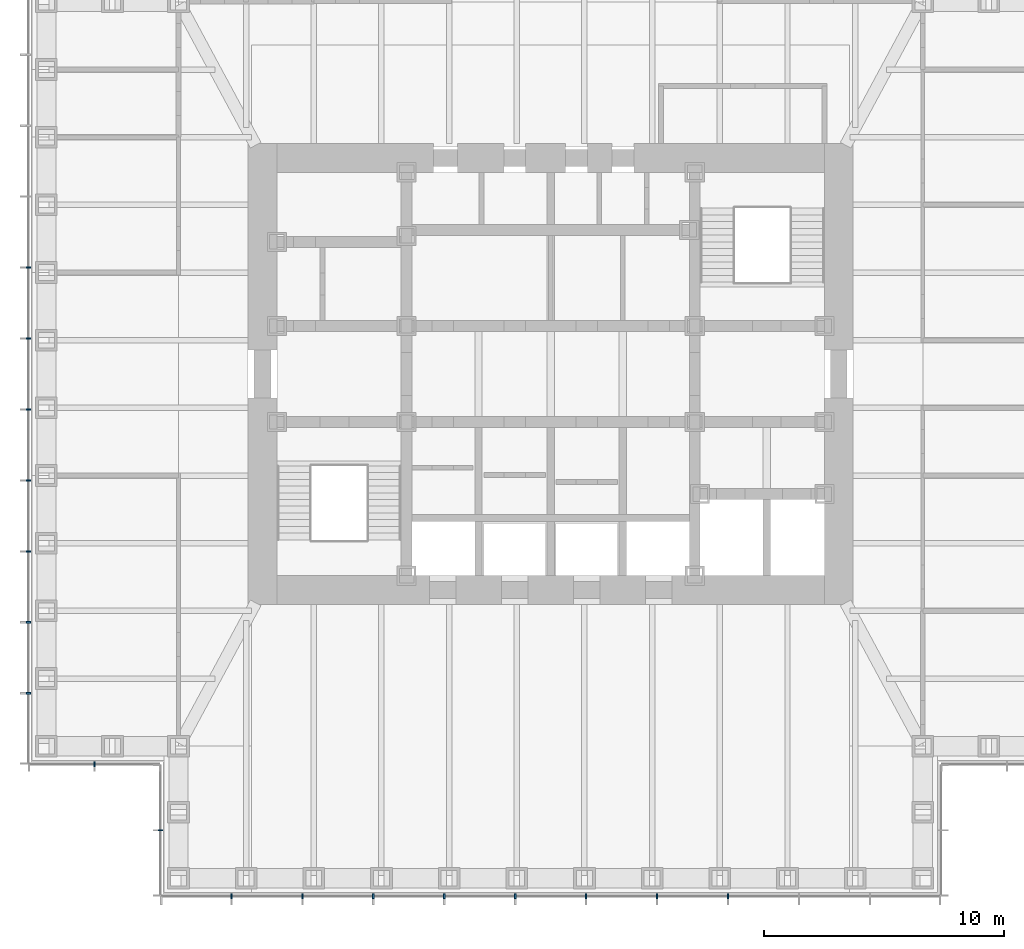
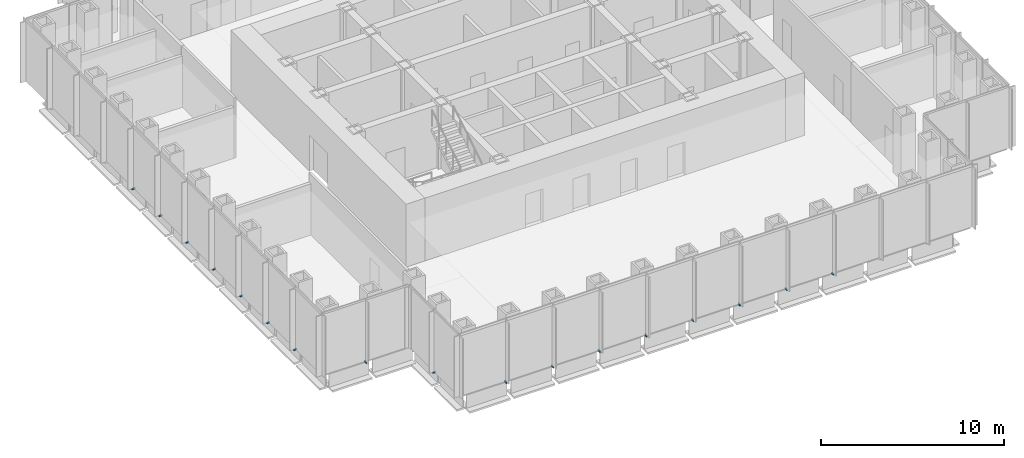
# One storey, part 11 of 16: 17 discrete accessories.
"""IFC4 building model written with IfcOpenShell, lengths in metres."""

from ifc_helpers import new_model, si_unit, direction, frame, origin, origin_2d, place, context, subcontext, project, spatial, rectangle, extrude, element, save


model = new_model("IFC4")

# Units and contexts
model_context = context("Model", 3, precision=1e-05, world=origin(), true_north=direction((0.0, 1.0)))
body_context = subcontext(model_context, "Body", "Model", "MODEL_VIEW")
ifc_project = project(units=[si_unit("LENGTHUNIT", "METRE"), si_unit("AREAUNIT", "SQUARE_METRE"), si_unit("VOLUMEUNIT", "CUBIC_METRE"), si_unit("PLANEANGLEUNIT", "RADIAN"), si_unit("MASSUNIT", "GRAM", prefix="KILO")], contexts=[model_context])

# Site, building, storey
site_placement = place(None, origin())
site = spatial("IfcSite", under=ifc_project, at=site_placement, CompositionType="ELEMENT")
building_placement = place(site_placement, origin())
building = spatial("IfcBuilding", under=site, at=building_placement, Name="Daluyong Arena Tower", CompositionType="ELEMENT")
storey_placement = place(building_placement, frame((0.0, 0.0, 210.699951171875)))
storey = spatial("IfcBuildingStorey", under=building, at=storey_placement, Name="L47", CompositionType="ELEMENT", Elevation=210.699951171875)

# Discrete accessories
for number, where, z_axis, x_axis, name in (
    (1, (42.70458984375, 58.25, -0.10009765625), (0.0, 0.0, 1.0), (1.0, 0.0, 0.0), "curtain wall L47 S anchor bracket 2"),
    (2, (45.6591796875, 58.25, -0.10009765625), (0.0, 0.0, 1.0), (1.0, 0.0, 0.0), "curtain wall L47 S anchor bracket 3"),
    (3, (48.613525390625, 58.25, -0.10009765625), (0.0, 0.0, 1.0), (1.0, 0.0, 0.0), "curtain wall L47 S anchor bracket 4"),
    (4, (51.568115234375, 58.25, -0.10009765625), (0.0, 0.0, 1.0), (1.0, 0.0, 0.0), "curtain wall L47 S anchor bracket 5"),
    (5, (54.522705078125, 58.25, -0.10009765625), (0.0, 0.0, 1.0), (1.0, 0.0, 0.0), "curtain wall L47 S anchor bracket 6"),
    (6, (57.477294921875, 58.25, -0.10009765625), (0.0, 0.0, 1.0), (1.0, 0.0, 0.0), "curtain wall L47 S anchor bracket 7"),
    (7, (60.431884765625, 58.25, -0.10009765625), (0.0, 0.0, 1.0), (1.0, 0.0, 0.0), "curtain wall L47 S anchor bracket 8"),
    (8, (63.386474609375, 58.25, -0.10009765625), (0.0, 0.0, 1.0), (1.0, 0.0, 0.0), "curtain wall L47 S anchor bracket 9"),
    (9, (34.25, 84.431884765625, -0.10009765625), (0.0, 0.0, 1.0), (0.0, -1.0, 0.0), "curtain wall L47 W anchor bracket 5"),
    (10, (34.25, 81.477294921875, -0.10009765625), (0.0, 0.0, 1.0), (0.0, -1.0, 0.0), "curtain wall L47 W anchor bracket 6"),
    (11, (34.25, 78.522705078125, -0.10009765625), (0.0, 0.0, 1.0), (0.0, -1.0, 0.0), "curtain wall L47 W anchor bracket 7"),
    (12, (34.25, 75.568115234375, -0.10009765625), (0.0, 0.0, 1.0), (0.0, -1.0, 0.0), "curtain wall L47 W anchor bracket 8"),
    (13, (34.25, 72.613525390625, -0.10009765625), (0.0, 0.0, 1.0), (0.0, -1.0, 0.0), "curtain wall L47 W anchor bracket 9"),
    (14, (34.25, 69.6591796875, -0.10009765625), (0.0, 0.0, 1.0), (0.0, -1.0, 0.0), "curtain wall L47 W anchor bracket 10"),
    (15, (34.25, 66.70458984375, -0.10009765625), (0.0, 0.0, 1.0), (0.0, -1.0, 0.0), "curtain wall L47 W anchor bracket 11"),
):
    element("IfcDiscreteAccessory", number, at=place(storey_placement, frame(where, z_axis=z_axis, x_axis=x_axis)), inside=storey, Name=name, PredefinedType="BRACKET", context=body_context, shape_type="SweptSolid", body=[
        extrude(rectangle(XDim=0.070068359375, YDim=0.199951171875, at=origin_2d()), origin(), (0.0, 0.0, 1.0), 0.10009765625),
    ])
for number, where, z_axis, x_axis, name in (
    (16, (37.0, 63.75, -0.10009765625), (0.0, 0.0, 1.0), (1.0, 0.0, 0.0), "curtain wall L47 SW-S anchor bracket 2"),
    (17, (39.75, 61.0, -0.10009765625), (0.0, 0.0, 1.0), (0.0, -1.0, 0.0), "curtain wall L47 SW-W anchor bracket 2"),
):
    element("IfcDiscreteAccessory", number, at=place(storey_placement, frame(where, z_axis=z_axis, x_axis=x_axis)), inside=storey, Name=name, PredefinedType="BRACKET", context=body_context, shape_type="SweptSolid", body=[
        extrude(rectangle(XDim=0.06005859375, YDim=0.199951171875, at=origin_2d()), origin(), (0.0, 0.0, 1.0), 0.10009765625),
    ])

save(model, "model.ifc")
